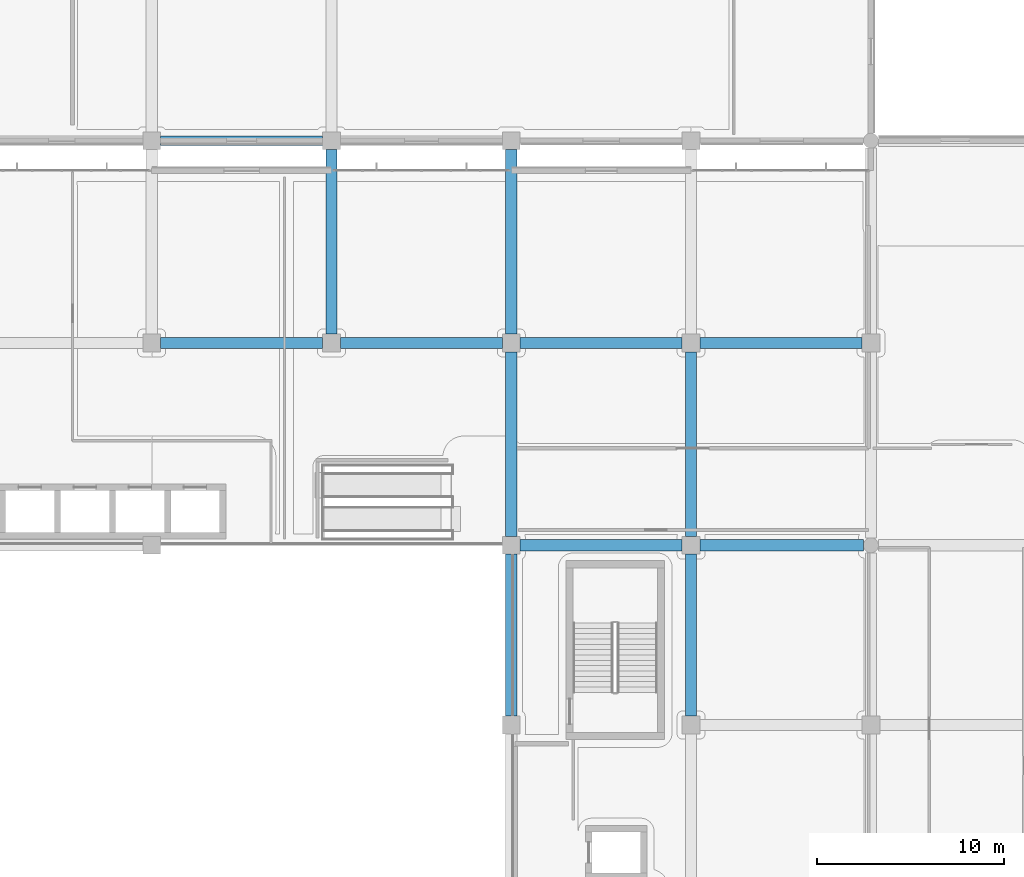
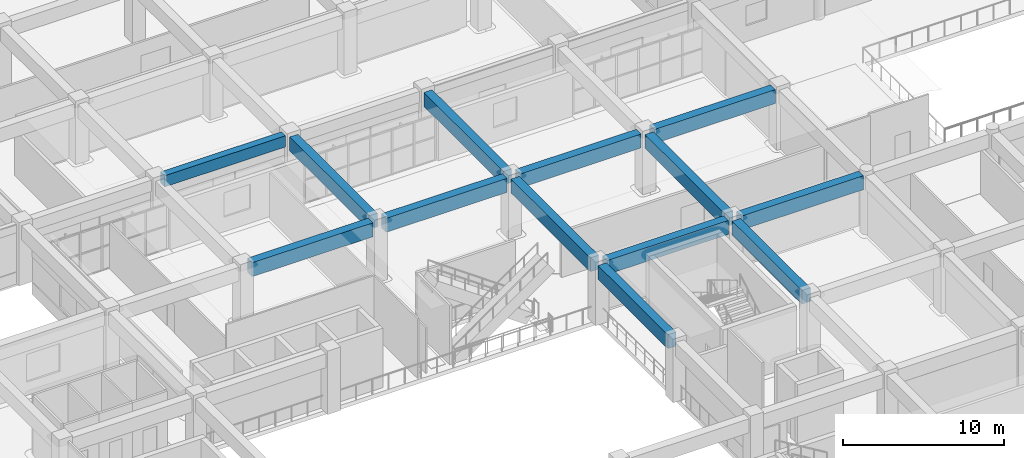
# One storey, part 15 of 86: 13 beams.
"""IFC4 building model written with IfcOpenShell, lengths in metres."""

from ifc_helpers import new_model, si_unit, direction, frame, origin, origin_2d, place, context, subcontext, project, spatial, rectangle, extrude, material, material_profile, profile_set, type_object, element, save


model = new_model("IFC4")

# Units and contexts
model_context = context("Model", 3, precision=1e-05, world=origin(), true_north=direction((0.0, 1.0)))
body_context = subcontext(model_context, "Body", "Model", "MODEL_VIEW")
ifc_project = project(units=[si_unit("LENGTHUNIT", "METRE"), si_unit("AREAUNIT", "SQUARE_METRE"), si_unit("VOLUMEUNIT", "CUBIC_METRE"), si_unit("PLANEANGLEUNIT", "RADIAN"), si_unit("MASSUNIT", "GRAM", prefix="KILO")], contexts=[model_context])

# Site, building, storey
site_placement = place(None, origin())
site = spatial("IfcSite", under=ifc_project, at=site_placement, CompositionType="ELEMENT")
building_placement = place(site_placement, origin())
building = spatial("IfcBuilding", under=site, at=building_placement, Name="Cendralis Terraced Arcade", CompositionType="ELEMENT")
storey_placement = place(building_placement, frame((0.0, 0.0, 5.39990234375)))
storey = spatial("IfcBuildingStorey", under=building, at=storey_placement, Name="L01", CompositionType="ELEMENT", Elevation=5.39990234375)

# Beams
ifc_material = material(Name="Concrete f'c 35 MPa", Category="concrete")
ifc_material_profile_1 = material_profile(ifc_material, rectangle(XDim=0.5, YDim=0.85009765625, at=origin_2d()), Name="RC-BM-500x850", Category="LoadBearing")
ifc_profile_set_1 = profile_set([ifc_material_profile_1], Name="Concrete f'c 35 MPa")
beam_type_1 = type_object("IfcBeamType", Name="BM-500x850", PredefinedType="JOIST", material=ifc_profile_set_1)
beam_1_placement = place(storey_placement, frame((29.27490234375, 60.0, 4.090087890625), z_axis=(1.0, 0.0, 0.0), x_axis=(0.0, 1.0, 0.0)))
element("IfcBeam", 1, at=beam_1_placement, inside=storey, type_object=beam_type_1, Name="Terrace Support Girder TER-L02-V1-2", PredefinedType="JOIST", context=body_context, shape_type="SweptSolid", body=[
    extrude(rectangle(XDim=0.5, YDim=0.85009765625, at=origin_2d()), origin(), (0.0, 0.0, 1.0), 8.650146484375),
])
ifc_material_profile_2 = material_profile(ifc_material, rectangle(XDim=0.60009765625, YDim=1.050048828125, at=origin_2d()), Name="RC-BM-600x1050", Category="LoadBearing")
ifc_profile_set_2 = profile_set([ifc_material_profile_2], Name="Concrete f'c 35 MPa")
beam_type_2 = type_object("IfcBeamType", Name="BM-600x1050", PredefinedType="JOIST", material=ifc_profile_set_2)
beam_2_placement = place(storey_placement, frame((48.47509765625, 38.39990234375, 3.97998046875), z_axis=(1.0, 0.0, 0.0), x_axis=(0.0, 1.0, 0.0)))
element("IfcBeam", 2, at=beam_2_placement, inside=storey, type_object=beam_type_2, Name="Reinforced Concrete Frame Beam BM-X-L02-E-6_7", PredefinedType="JOIST", context=body_context, shape_type="SweptSolid", body=[
    extrude(rectangle(XDim=0.60009765625, YDim=1.050048828125, at=origin_2d()), origin(), (0.0, 0.0, 1.0), 8.64990234375),
])
beam_3_placement = place(storey_placement, frame((58.074951171875, 38.39990234375, 3.97998046875), z_axis=(1.0, 0.0, 0.0), x_axis=(0.0, 1.0, 0.0)))
element("IfcBeam", 3, at=beam_3_placement, inside=storey, type_object=beam_type_2, Name="Reinforced Concrete Frame Beam BM-X-L02-E-7_8", PredefinedType="JOIST", context=body_context, shape_type="SweptSolid", body=[
    extrude(rectangle(XDim=0.60009765625, YDim=1.050048828125, at=origin_2d()), origin(), (0.0, 0.0, 1.0), 8.72509765625),
])
beam_4_placement = place(storey_placement, frame((29.27490234375, 49.199951171875, 3.97998046875), z_axis=(1.0, 0.0, 0.0), x_axis=(0.0, 1.0, 0.0)))
element("IfcBeam", 4, at=beam_4_placement, inside=storey, type_object=beam_type_2, Name="Reinforced Concrete Frame Beam BM-X-L02-F-4_5", PredefinedType="JOIST", context=body_context, shape_type="SweptSolid", body=[
    extrude(rectangle(XDim=0.60009765625, YDim=1.050048828125, at=origin_2d()), origin(), (0.0, 0.0, 1.0), 8.650146484375),
])
for number, where, z_axis, x_axis, name in (
    (5, (38.875, 49.199951171875, 3.97998046875), (1.0, 0.0, 0.0), (0.0, 1.0, 0.0), "Reinforced Concrete Frame Beam BM-X-L02-F-5_6"),
    (6, (48.47509765625, 49.199951171875, 3.97998046875), (1.0, 0.0, 0.0), (0.0, 1.0, 0.0), "Reinforced Concrete Frame Beam BM-X-L02-F-6_7"),
):
    element("IfcBeam", number, at=place(storey_placement, frame(where, z_axis=z_axis, x_axis=x_axis)), inside=storey, type_object=beam_type_2, Name=name, PredefinedType="JOIST", context=body_context, shape_type="SweptSolid", body=[
        extrude(rectangle(XDim=0.60009765625, YDim=1.050048828125, at=origin_2d()), origin(), (0.0, 0.0, 1.0), 8.64990234375),
    ])
beam_5_placement = place(storey_placement, frame((58.074951171875, 49.199951171875, 3.97998046875), z_axis=(1.0, 0.0, 0.0), x_axis=(0.0, 1.0, 0.0)))
element("IfcBeam", 7, at=beam_5_placement, inside=storey, type_object=beam_type_2, Name="Reinforced Concrete Frame Beam BM-X-L02-F-7_8", PredefinedType="JOIST", context=body_context, shape_type="SweptSolid", body=[
    extrude(rectangle(XDim=0.60009765625, YDim=1.050048828125, at=origin_2d()), origin(), (0.0, 0.0, 1.0), 8.650146484375),
])
beam_6_placement = place(storey_placement, frame((38.39990234375, 49.675048828125, 3.97998046875), z_axis=(0.0, 1.0, 0.0), x_axis=(-1.0, 0.0, 0.0)))
element("IfcBeam", 8, at=beam_6_placement, inside=storey, type_object=beam_type_2, Name="Reinforced Concrete Frame Beam BM-Y-L02-5-F_G", PredefinedType="JOIST", context=body_context, shape_type="SweptSolid", body=[
    extrude(rectangle(XDim=0.60009765625, YDim=1.050048828125, at=origin_2d()), origin(), (0.0, 0.0, 1.0), 9.849853515625),
])
beam_7_placement = place(storey_placement, frame((48.0, 29.27490234375, 3.97998046875), z_axis=(0.0, 1.0, 0.0), x_axis=(-1.0, 0.0, 0.0)))
element("IfcBeam", 9, at=beam_7_placement, inside=storey, type_object=beam_type_2, Name="Reinforced Concrete Frame Beam BM-Y-L02-6-D_E", PredefinedType="JOIST", context=body_context, shape_type="SweptSolid", body=[
    extrude(rectangle(XDim=0.60009765625, YDim=1.050048828125, at=origin_2d()), origin(), (0.0, 0.0, 1.0), 8.650146484375),
])
beam_8_placement = place(storey_placement, frame((48.0, 38.875, 3.97998046875), z_axis=(0.0, 1.0, 0.0), x_axis=(-1.0, 0.0, 0.0)))
element("IfcBeam", 10, at=beam_8_placement, inside=storey, type_object=beam_type_2, Name="Reinforced Concrete Frame Beam BM-Y-L02-6-E_F", PredefinedType="JOIST", context=body_context, shape_type="SweptSolid", body=[
    extrude(rectangle(XDim=0.60009765625, YDim=1.050048828125, at=origin_2d()), origin(), (0.0, 0.0, 1.0), 9.85009765625),
])
beam_9_placement = place(storey_placement, frame((48.0, 49.675048828125, 3.97998046875), z_axis=(0.0, 1.0, 0.0), x_axis=(-1.0, 0.0, 0.0)))
element("IfcBeam", 11, at=beam_9_placement, inside=storey, type_object=beam_type_2, Name="Reinforced Concrete Frame Beam BM-Y-L02-6-F_G", PredefinedType="JOIST", context=body_context, shape_type="SweptSolid", body=[
    extrude(rectangle(XDim=0.60009765625, YDim=1.050048828125, at=origin_2d()), origin(), (0.0, 0.0, 1.0), 9.849853515625),
])
beam_10_placement = place(storey_placement, frame((57.60009765625, 29.27490234375, 3.97998046875), z_axis=(0.0, 1.0, 0.0), x_axis=(-1.0, 0.0, 0.0)))
element("IfcBeam", 12, at=beam_10_placement, inside=storey, type_object=beam_type_2, Name="Reinforced Concrete Frame Beam BM-Y-L02-7-D_E", PredefinedType="JOIST", context=body_context, shape_type="SweptSolid", body=[
    extrude(rectangle(XDim=0.60009765625, YDim=1.050048828125, at=origin_2d()), origin(), (0.0, 0.0, 1.0), 8.650146484375),
])
beam_11_placement = place(storey_placement, frame((57.60009765625, 38.875, 3.97998046875), z_axis=(0.0, 1.0, 0.0), x_axis=(-1.0, 0.0, 0.0)))
element("IfcBeam", 13, at=beam_11_placement, inside=storey, type_object=beam_type_2, Name="Reinforced Concrete Frame Beam BM-Y-L02-7-E_F", PredefinedType="JOIST", context=body_context, shape_type="SweptSolid", body=[
    extrude(rectangle(XDim=0.60009765625, YDim=1.050048828125, at=origin_2d()), origin(), (0.0, 0.0, 1.0), 9.85009765625),
])

save(model, "model.ifc")
